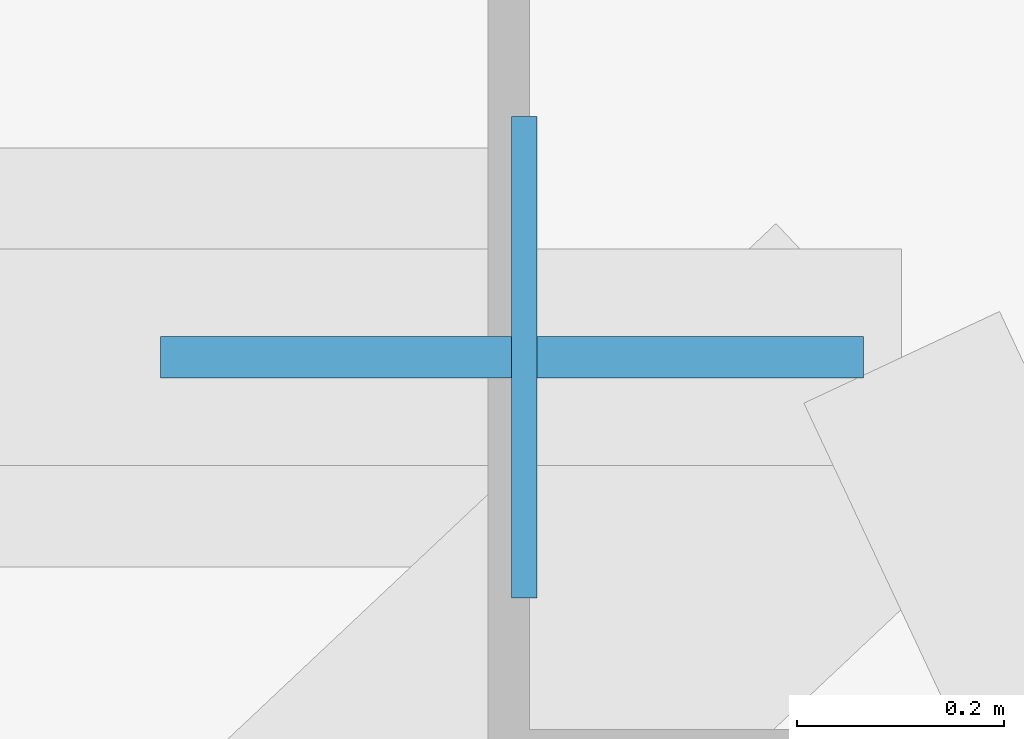
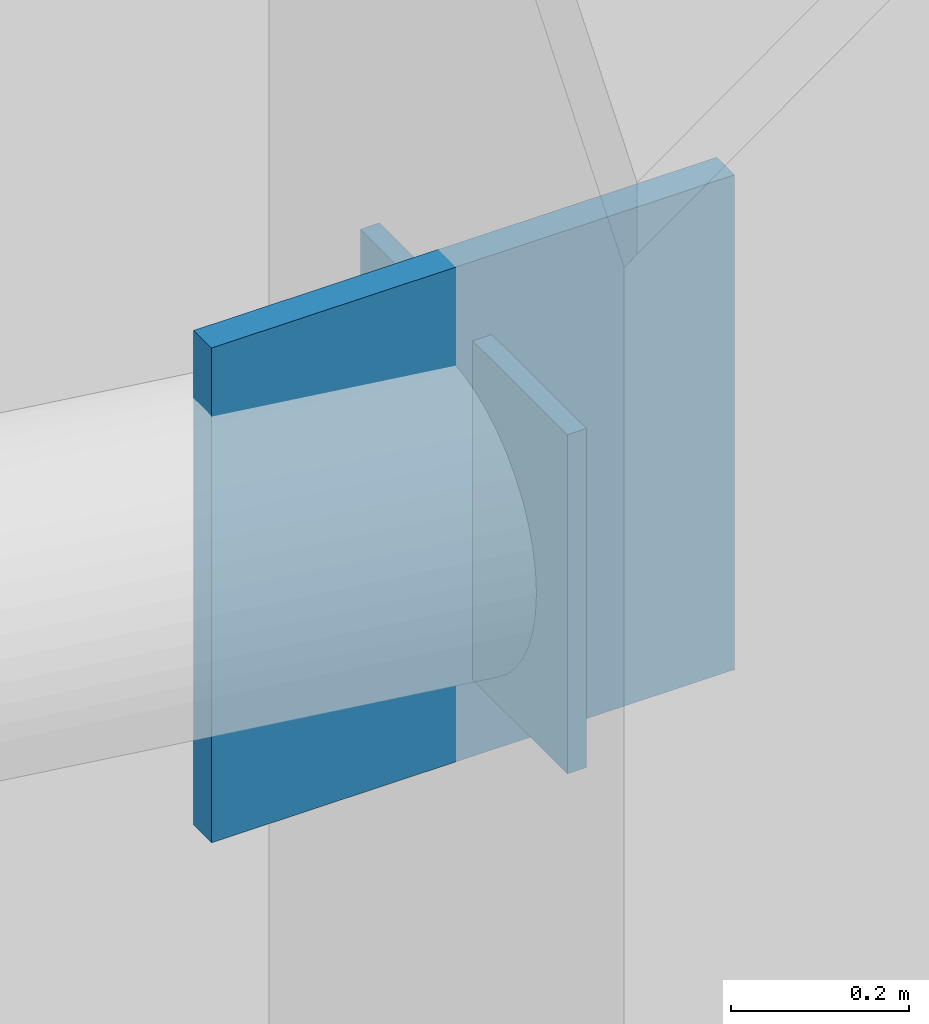
# One storey, part 9 of 16: 2 plates.
"""IFC4 building model written with IfcOpenShell, lengths in metres."""

import ifcopenshell
import ifcopenshell.guid

model = None  # the IFC model being written
_history = None  # IfcOwnerHistory: only IFC2X3 demands one
_inside = {}  # id of a spatial element -> (the spatial element, [elements in it])
_under = {}  # id of a project, library or spatial element -> (it, [spatial elements below it])
_declared = {}  # id of a project -> (the project, [libraries it declares])
_typed = {}  # id of a type object -> (the type object, [elements of that type])
_made_of = {}  # id of a material, layer set ... -> (it, [elements and type objects made of it])


def new_model(schema):
    """Start an empty IFC model of exactly this schema.

    Asked for "IFC4X3", IfcOpenShell would pick the latest addendum, in which some entities
    have other attributes; the version numbers below select the first issue.
    IFC2X3 requires an IfcOwnerHistory on every rooted entity: one is made here for all.
    """
    global model, _history
    if schema == "IFC4X3":
        model = ifcopenshell.file(schema_version=(4, 3, 0, 0))
    else:
        model = ifcopenshell.file(schema=schema)
    _inside.clear()
    _under.clear()
    _declared.clear()
    _typed.clear()
    _made_of.clear()
    _history = None
    if model.schema == "IFC2X3":
        org = make("IfcOrganization", Name="unknown")
        user = make(
            "IfcPersonAndOrganization",
            ThePerson=make("IfcPerson", FamilyName="unknown"),
            TheOrganization=org,
        )
        app = make(
            "IfcApplication",
            ApplicationDeveloper=org,
            Version="unknown",
            ApplicationFullName="unknown",
            ApplicationIdentifier="unknown",
        )
        _history = make(
            "IfcOwnerHistory",
            OwningUser=user,
            OwningApplication=app,
            ChangeAction="ADDED",
            CreationDate=0,
        )
    return model


def make(cls, **values):
    """One entity of the class cls with the attributes given. An attribute that is None is left unset."""
    return model.create_entity(
        cls, **{name: value for name, value in values.items() if value is not None}
    )


def rooted(cls, **values):
    """An entity with a GlobalId (a new one), such as an element, a storey or a relation."""
    return make(cls, GlobalId=ifcopenshell.guid.new(), OwnerHistory=_history, **values)


def si_unit(unit_type, name, prefix=None):
    """IfcSIUnit, for example si_unit("LENGTHUNIT", "METRE", prefix="MILLI")."""
    return make("IfcSIUnit", UnitType=unit_type, Prefix=prefix, Name=name)


def assignment(units):
    """IfcUnitAssignment: the units of a project."""
    return None if units is None else make("IfcUnitAssignment", Units=units)


def point(xyz):
    """IfcCartesianPoint."""
    return None if xyz is None else make("IfcCartesianPoint", Coordinates=xyz)


def direction(xyz):
    """IfcDirection."""
    return None if xyz is None else make("IfcDirection", DirectionRatios=xyz)


def frame(location, z_axis=None, x_axis=None):
    """IfcAxis2Placement3D, a coordinate frame: its origin and axes. An axis left out is left unset."""
    return make(
        "IfcAxis2Placement3D",
        Location=point(location),
        Axis=direction(z_axis),
        RefDirection=direction(x_axis),
    )


def frame_2d(location, x_axis=None):
    """IfcAxis2Placement2D, a coordinate frame in the plane: its origin and x axis."""
    return make(
        "IfcAxis2Placement2D", Location=point(location), RefDirection=direction(x_axis)
    )


def origin():
    """The frame at (0, 0, 0) with its axes left unset."""
    return frame((0.0, 0.0, 0.0))


def origin_2d():
    """The frame at (0, 0) in the plane with its x axis left unset."""
    return frame_2d((0.0, 0.0))


def place(relative_to, where):
    """IfcLocalPlacement: puts the frame where relative to a parent placement (None: the world)."""
    return make(
        "IfcLocalPlacement", PlacementRelTo=relative_to, RelativePlacement=where
    )


def context(
    kind, dimensions, precision=None, world=None, true_north=None, identifier=None
):
    """IfcGeometricRepresentationContext, for example the 3D "Model" context."""
    return make(
        "IfcGeometricRepresentationContext",
        ContextIdentifier=identifier,
        ContextType=kind,
        CoordinateSpaceDimension=dimensions,
        Precision=precision,
        WorldCoordinateSystem=world,
        TrueNorth=true_north,
    )


def subcontext(parent, identifier, kind, view, scale=None):
    """IfcGeometricRepresentationSubContext, for example "Body" below "Model"."""
    return make(
        "IfcGeometricRepresentationSubContext",
        ContextIdentifier=identifier,
        ContextType=kind,
        ParentContext=parent,
        TargetScale=scale,
        TargetView=view,
    )


def project(units=None, contexts=None):
    """IfcProject with its units and contexts."""
    return rooted(
        "IfcProject",
        Name="project",
        RepresentationContexts=contexts,
        UnitsInContext=assignment(units),
    )


def spatial(cls, under=None, at=None, **own):
    """A site, building, storey or space (cls), placed at a placement, below another one or the project."""
    s = rooted(cls, ObjectPlacement=at, **own)
    if under is not None:
        _under.setdefault(under.id(), (under, []))[1].append(s)
    return s


def profile(cls, at=None, kind="AREA", **sizes):
    """A parametric profile (cls). Its sizes go by their IFC names, for example OverallWidth=200.0."""
    return make(cls, ProfileType=kind, Position=at, **sizes)


def rectangle(**sizes):
    """IfcRectangleProfileDef."""
    return profile("IfcRectangleProfileDef", **sizes)


def extrude(swept, where, along, depth):
    """IfcExtrudedAreaSolid: the profile swept, set in the frame where, extruded along a direction by depth."""
    return make(
        "IfcExtrudedAreaSolid",
        SweptArea=swept,
        Position=where,
        ExtrudedDirection=direction(along),
        Depth=depth,
    )


def shape(context_of_items, identifier, shape_type, items):
    """IfcShapeRepresentation: the items that make up one representation, for example the "Body"."""
    return make(
        "IfcShapeRepresentation",
        ContextOfItems=context_of_items,
        RepresentationIdentifier=identifier,
        RepresentationType=shape_type,
        Items=items,
    )


def material(Name=None, Category=None):
    """IfcMaterial."""
    return make("IfcMaterial", Name=Name, Category=Category)


def layer(
    of_material, thickness, ventilated=None, Name=None, Category=None, Priority=None
):
    """IfcMaterialLayer: one layer of a wall or slab, of a material (None: an air gap)."""
    return make(
        "IfcMaterialLayer",
        Material=of_material,
        LayerThickness=thickness,
        IsVentilated=ventilated,
        Name=Name,
        Category=Category,
        Priority=Priority,
    )


def layer_set(layers, Name=None):
    """IfcMaterialLayerSet."""
    return make("IfcMaterialLayerSet", MaterialLayers=layers, LayerSetName=Name)


def made_of(thing, what):
    """Note that an element or type object is made of a material, layer set ...; save() writes the relation."""
    if what is not None:
        _made_of.setdefault(what.id(), (what, []))[1].append(thing)
    return thing


def type_object(cls, material=None, **own):
    """A type object (cls), such as IfcWallType, which elements share."""
    return made_of(rooted(cls, **own), material)


def element(
    cls,
    number,
    at=None,
    inside=None,
    cuts=None,
    type_object=None,
    material=None,
    context=None,
    identifier="Body",
    shape_type=None,
    held_by="IfcProductDefinitionShape",
    body=None,
    shapes=None,
    **own,
):
    """One element of the class cls, such as IfcWall. Its Tag is "e" and its number.

    at: its placement. inside: the storey or other place that contains it. cuts: it is an
    opening in that element (IfcRelVoidsElement). A single representation is given by context,
    identifier, shape_type and body (its items); several are given by shapes. held_by: the class
    of the entity that holds the representations. save() writes the other relations.
    """
    e = rooted(cls, Tag="e%d" % number, ObjectPlacement=at, **own)
    if body is not None:
        shapes = [shape(context, identifier, shape_type, body)]
    if shapes is not None:
        e.Representation = make(held_by, Representations=shapes)
    if inside is not None:
        _inside.setdefault(inside.id(), (inside, []))[1].append(e)
    if cuts is not None:
        rooted(
            "IfcRelVoidsElement", RelatingBuildingElement=cuts, RelatedOpeningElement=e
        )
    if type_object is not None:
        _typed.setdefault(type_object.id(), (type_object, []))[1].append(e)
    return made_of(e, material)


def aggregate(whole, parts):
    """IfcRelAggregates: a whole, such as a stair, and the parts it consists of."""
    return rooted("IfcRelAggregates", RelatingObject=whole, RelatedObjects=parts)


def save(model, path):
    """Write the relations noted so far, then the file.

    IfcRelAggregates (storeys below a building ...), IfcRelContainedInSpatialStructure (elements
    in a storey), IfcRelDefinesByType, IfcRelAssociatesMaterial and IfcRelDeclares: one each for
    every whole, place, type object, material and project.
    """
    for whole, parts in _under.values():
        aggregate(whole, parts)
    for where, things in _inside.values():
        rooted(
            "IfcRelContainedInSpatialStructure",
            RelatedElements=things,
            RelatingStructure=where,
        )
    for kind, things in _typed.values():
        rooted("IfcRelDefinesByType", RelatedObjects=things, RelatingType=kind)
    for what, things in _made_of.values():
        rooted("IfcRelAssociatesMaterial", RelatedObjects=things, RelatingMaterial=what)
    for by, libraries in _declared.values():
        rooted("IfcRelDeclares", RelatingContext=by, RelatedDefinitions=libraries)
    model.write(path)


model = new_model("IFC4")

# Units and contexts
model_context = context("Model", 3, precision=1e-05, world=origin(), true_north=direction((0.0, 1.0)))
body_context = subcontext(model_context, "Body", "Model", "MODEL_VIEW")
ifc_project = project(units=[si_unit("LENGTHUNIT", "METRE"), si_unit("AREAUNIT", "SQUARE_METRE"), si_unit("VOLUMEUNIT", "CUBIC_METRE"), si_unit("PLANEANGLEUNIT", "RADIAN"), si_unit("MASSUNIT", "GRAM", prefix="KILO")], contexts=[model_context])

# Site, building, storey
site_placement = place(None, origin())
site = spatial("IfcSite", under=ifc_project, at=site_placement, CompositionType="ELEMENT")
building_placement = place(site_placement, origin())
building = spatial("IfcBuilding", under=site, at=building_placement, Name="Khamvora Tower", CompositionType="ELEMENT")
storey_placement = place(building_placement, frame((0.0, 0.0, 207.0)))
storey = spatial("IfcBuildingStorey", under=building, at=storey_placement, Name="L53", CompositionType="ELEMENT", Elevation=207.0)

# Plates
ifc_material_1 = material(Name="Steel S355", Category="steel")
ifc_layer_1 = layer(ifc_material_1, 0.02490234375)
ifc_layer_set_1 = layer_set([ifc_layer_1], Name="Steel S355")
plate_type_1 = type_object("IfcPlateType", Name="PL-CAP-25", PredefinedType="SHEET", material=ifc_layer_set_1)
plate_1_placement = place(storey_placement, frame((56.385009765625, 44.5, 2.494140625), z_axis=(0.0, 0.0, 1.0), x_axis=(-1.0, 0.0, 0.0)))
element("IfcPlate", 1, at=plate_1_placement, inside=storey, type_object=plate_type_1, Name="L53 hollow section steel end cap plate 0994", PredefinedType="SHEET", context=body_context, shape_type="SweptSolid", body=[
    extrude(rectangle(XDim=0.02490234375, YDim=0.466064453125, at=origin_2d()), origin(), (0.0, 0.0, 1.0), 0.466064453125),
])
ifc_material_2 = material(Name="Steel S460", Category="steel")
ifc_layer_2 = layer(ifc_material_2, 0.0400390625)
ifc_layer_set_2 = layer_set([ifc_layer_2], Name="Steel S460")
plate_type_2 = type_object("IfcPlateType", Name="PLT-GUS-40", PredefinedType="SHEET", material=ifc_layer_set_2)
plate_2_placement = place(storey_placement, frame((56.373046875, 44.5, 2.38916015625), z_axis=(0.0, 0.0, 1.0), x_axis=(1.0, 0.0, 0.0)))
element("IfcPlate", 2, at=plate_2_placement, inside=storey, type_object=plate_type_2, Name="L53 brace connection node gusset plate 0331", PredefinedType="SHEET", context=body_context, shape_type="SweptSolid", body=[
    extrude(rectangle(XDim=0.679931640625, YDim=0.0400390625, at=origin_2d()), origin(), (0.0, 0.0, 1.0), 0.679931640625),
])

save(model, "model.ifc")
